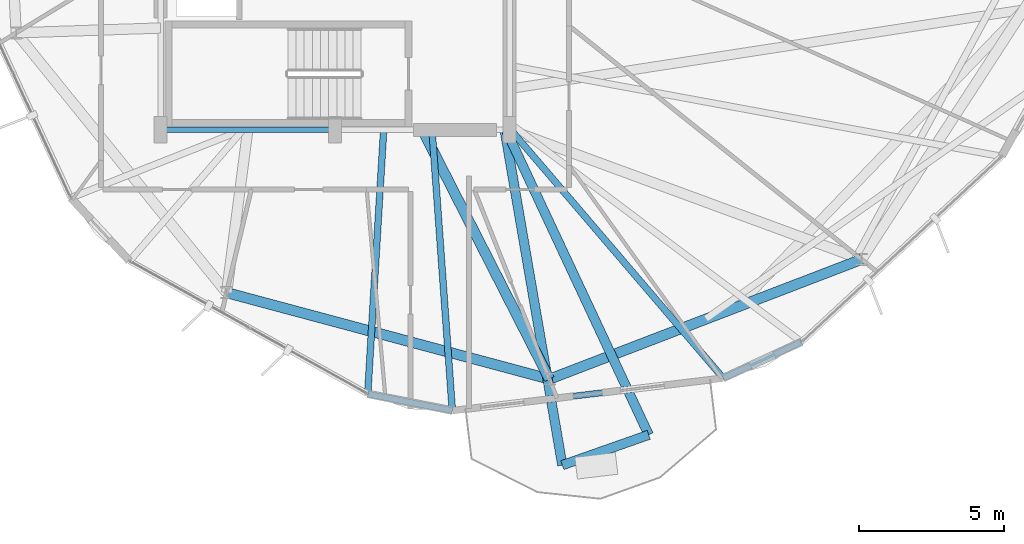
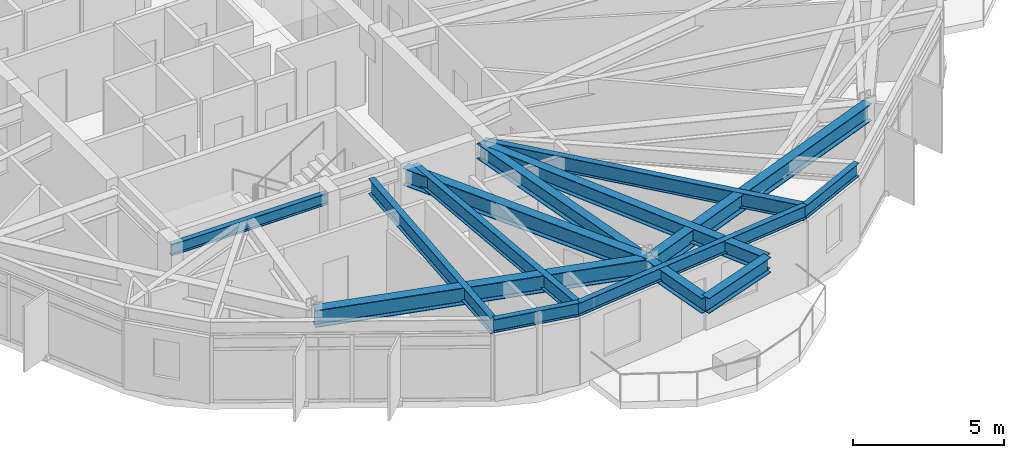
# One storey, part 4 of 25: 13 beams.
"""IFC4 building model written with IfcOpenShell, lengths in metres."""

import ifcopenshell
import ifcopenshell.guid

model = None  # the IFC model being written
_history = None  # IfcOwnerHistory: only IFC2X3 demands one
_inside = {}  # id of a spatial element -> (the spatial element, [elements in it])
_under = {}  # id of a project, library or spatial element -> (it, [spatial elements below it])
_declared = {}  # id of a project -> (the project, [libraries it declares])
_typed = {}  # id of a type object -> (the type object, [elements of that type])
_made_of = {}  # id of a material, layer set ... -> (it, [elements and type objects made of it])


def new_model(schema):
    """Start an empty IFC model of exactly this schema.

    Asked for "IFC4X3", IfcOpenShell would pick the latest addendum, in which some entities
    have other attributes; the version numbers below select the first issue.
    IFC2X3 requires an IfcOwnerHistory on every rooted entity: one is made here for all.
    """
    global model, _history
    if schema == "IFC4X3":
        model = ifcopenshell.file(schema_version=(4, 3, 0, 0))
    else:
        model = ifcopenshell.file(schema=schema)
    _inside.clear()
    _under.clear()
    _declared.clear()
    _typed.clear()
    _made_of.clear()
    _history = None
    if model.schema == "IFC2X3":
        org = make("IfcOrganization", Name="unknown")
        user = make(
            "IfcPersonAndOrganization",
            ThePerson=make("IfcPerson", FamilyName="unknown"),
            TheOrganization=org,
        )
        app = make(
            "IfcApplication",
            ApplicationDeveloper=org,
            Version="unknown",
            ApplicationFullName="unknown",
            ApplicationIdentifier="unknown",
        )
        _history = make(
            "IfcOwnerHistory",
            OwningUser=user,
            OwningApplication=app,
            ChangeAction="ADDED",
            CreationDate=0,
        )
    return model


def make(cls, **values):
    """One entity of the class cls with the attributes given. An attribute that is None is left unset."""
    return model.create_entity(
        cls, **{name: value for name, value in values.items() if value is not None}
    )


def rooted(cls, **values):
    """An entity with a GlobalId (a new one), such as an element, a storey or a relation."""
    return make(cls, GlobalId=ifcopenshell.guid.new(), OwnerHistory=_history, **values)


def si_unit(unit_type, name, prefix=None):
    """IfcSIUnit, for example si_unit("LENGTHUNIT", "METRE", prefix="MILLI")."""
    return make("IfcSIUnit", UnitType=unit_type, Prefix=prefix, Name=name)


def assignment(units):
    """IfcUnitAssignment: the units of a project."""
    return None if units is None else make("IfcUnitAssignment", Units=units)


def point(xyz):
    """IfcCartesianPoint."""
    return None if xyz is None else make("IfcCartesianPoint", Coordinates=xyz)


def direction(xyz):
    """IfcDirection."""
    return None if xyz is None else make("IfcDirection", DirectionRatios=xyz)


def frame(location, z_axis=None, x_axis=None):
    """IfcAxis2Placement3D, a coordinate frame: its origin and axes. An axis left out is left unset."""
    return make(
        "IfcAxis2Placement3D",
        Location=point(location),
        Axis=direction(z_axis),
        RefDirection=direction(x_axis),
    )


def frame_2d(location, x_axis=None):
    """IfcAxis2Placement2D, a coordinate frame in the plane: its origin and x axis."""
    return make(
        "IfcAxis2Placement2D", Location=point(location), RefDirection=direction(x_axis)
    )


def origin():
    """The frame at (0, 0, 0) with its axes left unset."""
    return frame((0.0, 0.0, 0.0))


def origin_2d():
    """The frame at (0, 0) in the plane with its x axis left unset."""
    return frame_2d((0.0, 0.0))


def place(relative_to, where):
    """IfcLocalPlacement: puts the frame where relative to a parent placement (None: the world)."""
    return make(
        "IfcLocalPlacement", PlacementRelTo=relative_to, RelativePlacement=where
    )


def context(
    kind, dimensions, precision=None, world=None, true_north=None, identifier=None
):
    """IfcGeometricRepresentationContext, for example the 3D "Model" context."""
    return make(
        "IfcGeometricRepresentationContext",
        ContextIdentifier=identifier,
        ContextType=kind,
        CoordinateSpaceDimension=dimensions,
        Precision=precision,
        WorldCoordinateSystem=world,
        TrueNorth=true_north,
    )


def subcontext(parent, identifier, kind, view, scale=None):
    """IfcGeometricRepresentationSubContext, for example "Body" below "Model"."""
    return make(
        "IfcGeometricRepresentationSubContext",
        ContextIdentifier=identifier,
        ContextType=kind,
        ParentContext=parent,
        TargetScale=scale,
        TargetView=view,
    )


def project(units=None, contexts=None):
    """IfcProject with its units and contexts."""
    return rooted(
        "IfcProject",
        Name="project",
        RepresentationContexts=contexts,
        UnitsInContext=assignment(units),
    )


def spatial(cls, under=None, at=None, **own):
    """A site, building, storey or space (cls), placed at a placement, below another one or the project."""
    s = rooted(cls, ObjectPlacement=at, **own)
    if under is not None:
        _under.setdefault(under.id(), (under, []))[1].append(s)
    return s


def profile(cls, at=None, kind="AREA", **sizes):
    """A parametric profile (cls). Its sizes go by their IFC names, for example OverallWidth=200.0."""
    return make(cls, ProfileType=kind, Position=at, **sizes)


def i_section(**sizes):
    """IfcIShapeProfileDef."""
    return profile("IfcIShapeProfileDef", **sizes)


def extrude(swept, where, along, depth):
    """IfcExtrudedAreaSolid: the profile swept, set in the frame where, extruded along a direction by depth."""
    return make(
        "IfcExtrudedAreaSolid",
        SweptArea=swept,
        Position=where,
        ExtrudedDirection=direction(along),
        Depth=depth,
    )


def shape(context_of_items, identifier, shape_type, items):
    """IfcShapeRepresentation: the items that make up one representation, for example the "Body"."""
    return make(
        "IfcShapeRepresentation",
        ContextOfItems=context_of_items,
        RepresentationIdentifier=identifier,
        RepresentationType=shape_type,
        Items=items,
    )


def material(Name=None, Category=None):
    """IfcMaterial."""
    return make("IfcMaterial", Name=Name, Category=Category)


def material_profile(
    of_material, cross_section, Name=None, Category=None, Priority=None
):
    """IfcMaterialProfile: a cross section and its material."""
    return make(
        "IfcMaterialProfile",
        Name=Name,
        Material=of_material,
        Profile=cross_section,
        Priority=Priority,
        Category=Category,
    )


def profile_set(profiles, Name=None, composite=None):
    """IfcMaterialProfileSet."""
    return make(
        "IfcMaterialProfileSet",
        Name=Name,
        MaterialProfiles=profiles,
        CompositeProfile=composite,
    )


def made_of(thing, what):
    """Note that an element or type object is made of a material, layer set ...; save() writes the relation."""
    if what is not None:
        _made_of.setdefault(what.id(), (what, []))[1].append(thing)
    return thing


def type_object(cls, material=None, **own):
    """A type object (cls), such as IfcWallType, which elements share."""
    return made_of(rooted(cls, **own), material)


def element(
    cls,
    number,
    at=None,
    inside=None,
    cuts=None,
    type_object=None,
    material=None,
    context=None,
    identifier="Body",
    shape_type=None,
    held_by="IfcProductDefinitionShape",
    body=None,
    shapes=None,
    **own,
):
    """One element of the class cls, such as IfcWall. Its Tag is "e" and its number.

    at: its placement. inside: the storey or other place that contains it. cuts: it is an
    opening in that element (IfcRelVoidsElement). A single representation is given by context,
    identifier, shape_type and body (its items); several are given by shapes. held_by: the class
    of the entity that holds the representations. save() writes the other relations.
    """
    e = rooted(cls, Tag="e%d" % number, ObjectPlacement=at, **own)
    if body is not None:
        shapes = [shape(context, identifier, shape_type, body)]
    if shapes is not None:
        e.Representation = make(held_by, Representations=shapes)
    if inside is not None:
        _inside.setdefault(inside.id(), (inside, []))[1].append(e)
    if cuts is not None:
        rooted(
            "IfcRelVoidsElement", RelatingBuildingElement=cuts, RelatedOpeningElement=e
        )
    if type_object is not None:
        _typed.setdefault(type_object.id(), (type_object, []))[1].append(e)
    return made_of(e, material)


def aggregate(whole, parts):
    """IfcRelAggregates: a whole, such as a stair, and the parts it consists of."""
    return rooted("IfcRelAggregates", RelatingObject=whole, RelatedObjects=parts)


def save(model, path):
    """Write the relations noted so far, then the file.

    IfcRelAggregates (storeys below a building ...), IfcRelContainedInSpatialStructure (elements
    in a storey), IfcRelDefinesByType, IfcRelAssociatesMaterial and IfcRelDeclares: one each for
    every whole, place, type object, material and project.
    """
    for whole, parts in _under.values():
        aggregate(whole, parts)
    for where, things in _inside.values():
        rooted(
            "IfcRelContainedInSpatialStructure",
            RelatedElements=things,
            RelatingStructure=where,
        )
    for kind, things in _typed.values():
        rooted("IfcRelDefinesByType", RelatedObjects=things, RelatingType=kind)
    for what, things in _made_of.values():
        rooted("IfcRelAssociatesMaterial", RelatedObjects=things, RelatingMaterial=what)
    for by, libraries in _declared.values():
        rooted("IfcRelDeclares", RelatingContext=by, RelatedDefinitions=libraries)
    model.write(path)


model = new_model("IFC4")

# Units and contexts
model_context = context("Model", 3, precision=1e-05, world=origin(), true_north=direction((0.0, 1.0)))
body_context = subcontext(model_context, "Body", "Model", "MODEL_VIEW")
ifc_project = project(units=[si_unit("LENGTHUNIT", "METRE"), si_unit("AREAUNIT", "SQUARE_METRE"), si_unit("VOLUMEUNIT", "CUBIC_METRE"), si_unit("PLANEANGLEUNIT", "RADIAN"), si_unit("MASSUNIT", "GRAM", prefix="KILO")], contexts=[model_context])

# Site, building, storey
site_placement = place(None, origin())
site = spatial("IfcSite", under=ifc_project, at=site_placement, CompositionType="ELEMENT")
building_placement = place(site_placement, origin())
building = spatial("IfcBuilding", under=site, at=building_placement, Name="Soratama Intermodal Tower", CompositionType="ELEMENT")
storey_placement = place(building_placement, frame((0.0, 0.0, 190.60009765625)))
storey = spatial("IfcBuildingStorey", under=building, at=storey_placement, Name="L47", CompositionType="ELEMENT", Elevation=190.60009765625)

# Beams
ifc_material_1 = material(Name="Structural steel ASTM A992 Grade 50", Category="steel")
ifc_material_profile_1 = material_profile(ifc_material_1, i_section(OverallWidth=0.324951171875, OverallDepth=0.615966796875, WebThickness=0.013916015625, FlangeThickness=0.021484375, FilletRadius=0.013916015625, at=origin_2d()), Name="W24X117")
ifc_profile_set_1 = profile_set([ifc_material_profile_1], Name="Structural steel ASTM A992 Grade 50")
beam_type_1 = type_object("IfcBeamType", Name="BM-CANT-W24X117", PredefinedType="BEAM", material=ifc_profile_set_1)
beam_1_placement = place(storey_placement, frame((46.4150390625, 3.467041015625, 2.991943359375), z_axis=(0.943450309488, 0.331513971844, 0.0), x_axis=(-0.331513971844, 0.943450309488, 0.0)))
element("IfcBeam", 1, at=beam_1_placement, inside=storey, type_object=beam_type_1, Name="BM-L47-CBHDR-4", PredefinedType="BEAM", context=body_context, shape_type="SweptSolid", body=[
    extrude(i_section(OverallWidth=0.324951171875, OverallDepth=0.615966796875, WebThickness=0.013916015625, FlangeThickness=0.021484375, FilletRadius=0.013916015625, at=origin_2d()), origin(), (0.0, 0.0, 1.0), 3.14892578125),
])
beam_2_placement = place(storey_placement, frame((44.43798828125, 14.9609375, 2.991943359375), z_axis=(0.169519247388, -0.985526876734, 0.0), x_axis=(0.985526876734, 0.169519247388, 0.0)))
element("IfcBeam", 2, at=beam_2_placement, inside=storey, type_object=beam_type_1, Name="BM-L47-CANT-4-1", PredefinedType="BEAM", context=body_context, shape_type="SweptSolid", body=[
    extrude(i_section(OverallWidth=0.324951171875, OverallDepth=0.615966796875, WebThickness=0.013916015625, FlangeThickness=0.021484375, FilletRadius=0.013916015625, at=origin_2d()), origin(), (0.0, 0.0, 1.0), 11.66259765625),
])
beam_3_placement = place(storey_placement, frame((44.492919921875, 14.964111328125, 2.991943359375), z_axis=(0.4239482279, -0.905686424796, 0.0), x_axis=(0.905686424796, 0.4239482279, 0.0)))
element("IfcBeam", 3, at=beam_3_placement, inside=storey, type_object=beam_type_1, Name="BM-L47-CANT-4-2", PredefinedType="BEAM", context=body_context, shape_type="SweptSolid", body=[
    extrude(i_section(OverallWidth=0.324951171875, OverallDepth=0.615966796875, WebThickness=0.013916015625, FlangeThickness=0.021484375, FilletRadius=0.013916015625, at=origin_2d()), origin(), (0.0, 0.0, 1.0), 11.541748046875),
])
ifc_material_2 = material(Name="Structural steel ASTM A992 Grade 50", Category="steel")
ifc_material_profile_2 = material_profile(ifc_material_2, i_section(OverallWidth=0.19091796875, OverallDepth=0.4599609375, WebThickness=0.010009765625, FlangeThickness=0.01611328125, FilletRadius=0.010986328125, at=origin_2d()), Name="W18X55")
ifc_profile_set_2 = profile_set([ifc_material_profile_2], Name="Structural steel ASTM A992 Grade 50")
beam_type_2 = type_object("IfcBeamType", Name="BM-FLR-W18X55", PredefinedType="BEAM", material=ifc_profile_set_2)
beam_4_placement = place(storey_placement, frame((32.60009765625, 15.0, 3.06982421875), z_axis=(1.0, 0.0, 0.0), x_axis=(0.0, 1.0, 0.0)))
element("IfcBeam", 4, at=beam_4_placement, inside=storey, type_object=beam_type_2, Name="BM-L47-CRING-01", PredefinedType="BEAM", context=body_context, shape_type="SweptSolid", body=[
    extrude(i_section(OverallWidth=0.19091796875, OverallDepth=0.4599609375, WebThickness=0.010009765625, FlangeThickness=0.01611328125, FilletRadius=0.010986328125, at=origin_2d()), origin(), (0.0, 0.0, 1.0), 6.0),
])
ifc_material_3 = material(Name="Structural steel ASTM A992 Grade 50", Category="steel")
ifc_material_profile_3 = material_profile(ifc_material_3, i_section(OverallWidth=0.35498046875, OverallDepth=0.695068359375, WebThickness=0.015380859375, FlangeThickness=0.02490234375, FilletRadius=0.01611328125, at=origin_2d()), Name="W27X146")
ifc_profile_set_3 = profile_set([ifc_material_profile_3], Name="Structural steel ASTM A992 Grade 50")
beam_type_3 = type_object("IfcBeamType", Name="BM-RING-W27X146", PredefinedType="BEAM", material=ifc_profile_set_3)
beam_5_placement = place(storey_placement, frame((34.8701171875, 9.40087890625, 2.952392578125), z_axis=(0.965928616227, -0.258808632687, 0.0), x_axis=(0.258808632687, 0.965928616227, 0.0)))
element("IfcBeam", 5, at=beam_5_placement, inside=storey, type_object=beam_type_3, Name="BM-L47-RING-07", PredefinedType="BEAM", context=body_context, shape_type="SweptSolid", body=[
    extrude(i_section(OverallWidth=0.35498046875, OverallDepth=0.695068359375, WebThickness=0.015380859375, FlangeThickness=0.02490234375, FilletRadius=0.01611328125, at=origin_2d()), origin(), (0.0, 0.0, 1.0), 11.494384765625),
])
beam_6_placement = place(storey_placement, frame((45.972900390625, 6.426025390625, 2.952392578125), z_axis=(0.933603724339, 0.358307250695, 0.0), x_axis=(-0.358307250695, 0.933603724339, 0.0)))
element("IfcBeam", 6, at=beam_6_placement, inside=storey, type_object=beam_type_3, Name="BM-L47-RING-08", PredefinedType="BEAM", context=body_context, shape_type="SweptSolid", body=[
    extrude(i_section(OverallWidth=0.35498046875, OverallDepth=0.695068359375, WebThickness=0.015380859375, FlangeThickness=0.02490234375, FilletRadius=0.01611328125, at=origin_2d()), origin(), (0.0, 0.0, 1.0), 11.495361328125),
])
beam_7_placement = place(storey_placement, frame((41.60009765625, 15.0, 2.952392578125), z_axis=(0.454332323157, -0.890832273851, 0.0), x_axis=(0.890832273851, 0.454332323157, 0.0)))
element("IfcBeam", 7, at=beam_7_placement, inside=storey, type_object=beam_type_3, Name="BM-L47-RAD-08", PredefinedType="BEAM", context=body_context, shape_type="SweptSolid", body=[
    extrude(i_section(OverallWidth=0.35498046875, OverallDepth=0.695068359375, WebThickness=0.015380859375, FlangeThickness=0.02490234375, FilletRadius=0.01611328125, at=origin_2d()), origin(), (0.0, 0.0, 1.0), 9.624755859375),
])
ifc_material_4 = material(Name="Structural steel ASTM A992 Grade 50", Category="steel")
ifc_material_profile_4 = material_profile(ifc_material_4, i_section(OverallWidth=0.2099609375, OverallDepth=0.537109375, WebThickness=0.010986328125, FlangeThickness=0.017333984375, FilletRadius=0.012939453125, at=origin_2d()), Name="W21X68")
ifc_profile_set_4 = profile_set([ifc_material_profile_4], Name="Structural steel ASTM A992 Grade 50")
beam_type_4 = type_object("IfcBeamType", Name="BM-SPN-W21X68", PredefinedType="SPANDREL", material=ifc_profile_set_4)
beam_8_placement = place(storey_placement, frame((39.722900390625, 5.9150390625, 3.031494140625), z_axis=(0.981036980716, -0.1938206451, 0.0), x_axis=(0.1938206451, 0.981036980716, 0.0)))
element("IfcBeam", 8, at=beam_8_placement, inside=storey, type_object=beam_type_4, Name="BS-L47-CRN06", PredefinedType="SPANDREL", context=body_context, shape_type="SweptSolid", body=[
    extrude(i_section(OverallWidth=0.2099609375, OverallDepth=0.537109375, WebThickness=0.010986328125, FlangeThickness=0.017333984375, FilletRadius=0.012939453125, at=origin_2d()), origin(), (0.0, 0.0, 1.0), 2.96630859375),
])
beam_9_placement = place(storey_placement, frame((42.633056640625, 5.340087890625, 3.031494140625), z_axis=(0.992876715363, 0.119146246649, 0.0), x_axis=(-0.119146246649, 0.992876715363, 0.0)))
element("IfcBeam", 9, at=beam_9_placement, inside=storey, type_object=beam_type_4, Name="BS-L47-F07", PredefinedType="SPANDREL", context=body_context, shape_type="SweptSolid", body=[
    extrude(i_section(OverallWidth=0.2099609375, OverallDepth=0.537109375, WebThickness=0.010986328125, FlangeThickness=0.017333984375, FilletRadius=0.012939453125, at=origin_2d()), origin(), (0.0, 0.0, 1.0), 9.3828125),
])
beam_10_placement = place(storey_placement, frame((51.948974609375, 6.4580078125, 3.031494140625), z_axis=(0.907501185291, 0.420049519337, 0.0), x_axis=(-0.420049519337, 0.907501185291, 0.0)))
element("IfcBeam", 10, at=beam_10_placement, inside=storey, type_object=beam_type_4, Name="BS-L47-CRN07", PredefinedType="SPANDREL", context=body_context, shape_type="SweptSolid", body=[
    extrude(i_section(OverallWidth=0.2099609375, OverallDepth=0.537109375, WebThickness=0.010986328125, FlangeThickness=0.017333984375, FilletRadius=0.012939453125, at=origin_2d()), origin(), (0.0, 0.0, 1.0), 2.966552734375),
])
ifc_material_5 = material(Name="Structural steel ASTM A992 Grade 50", Category="steel")
ifc_material_profile_5 = material_profile(ifc_material_5, i_section(OverallWidth=0.22900390625, OverallDepth=0.612060546875, WebThickness=0.011962890625, FlangeThickness=0.01953125, FilletRadius=0.012939453125, at=origin_2d()), Name="W24X84")
ifc_profile_set_5 = profile_set([ifc_material_profile_5], Name="Structural steel ASTM A992 Grade 50")
beam_type_5 = type_object("IfcBeamType", Name="BM-TIE-W24X84", PredefinedType="BEAM", material=ifc_profile_set_5)
beam_11_placement = place(storey_placement, frame((40.26904296875, 14.9599609375, 2.993896484375), z_axis=(-0.060271356067, -0.99818202931, 0.0), x_axis=(0.99818202931, -0.060271356067, 0.0)))
element("IfcBeam", 11, at=beam_11_placement, inside=storey, type_object=beam_type_5, Name="BM-L47-TIE1-06", PredefinedType="BEAM", context=body_context, shape_type="SweptSolid", body=[
    extrude(i_section(OverallWidth=0.22900390625, OverallDepth=0.612060546875, WebThickness=0.011962890625, FlangeThickness=0.01953125, FilletRadius=0.012939453125, at=origin_2d()), origin(), (0.0, 0.0, 1.0), 9.061279296875),
])
beam_12_placement = place(storey_placement, frame((41.93798828125, 14.9599609375, 2.993896484375), z_axis=(0.072065515738, -0.997399900462, 0.0), x_axis=(0.997399900462, 0.072065515738, 0.0)))
element("IfcBeam", 12, at=beam_12_placement, inside=storey, type_object=beam_type_5, Name="BM-L47-TIE0-07", PredefinedType="BEAM", context=body_context, shape_type="SweptSolid", body=[
    extrude(i_section(OverallWidth=0.22900390625, OverallDepth=0.612060546875, WebThickness=0.011962890625, FlangeThickness=0.01953125, FilletRadius=0.012939453125, at=origin_2d()), origin(), (0.0, 0.0, 1.0), 9.64501953125),
])
beam_13_placement = place(storey_placement, frame((44.6259765625, 15.01904296875, 2.993896484375), z_axis=(0.650021846226, -0.759915521245, 0.0), x_axis=(0.759915521245, 0.650021846226, 0.0)))
element("IfcBeam", 13, at=beam_13_placement, inside=storey, type_object=beam_type_5, Name="BM-L47-TIE1-07", PredefinedType="BEAM", context=body_context, shape_type="SweptSolid", body=[
    extrude(i_section(OverallWidth=0.22900390625, OverallDepth=0.612060546875, WebThickness=0.011962890625, FlangeThickness=0.01953125, FilletRadius=0.012939453125, at=origin_2d()), origin(), (0.0, 0.0, 1.0), 11.265869140625),
])

save(model, "model.ifc")
